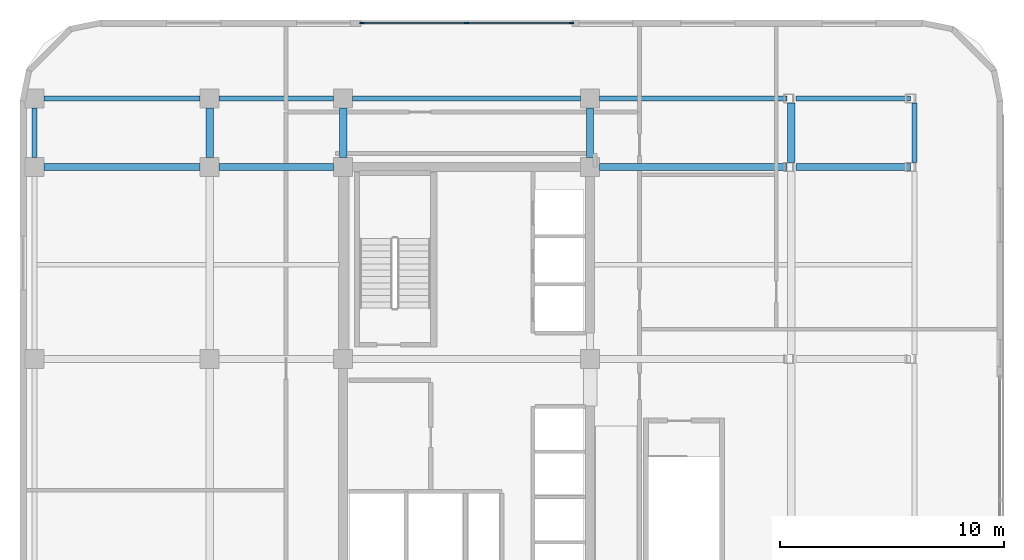
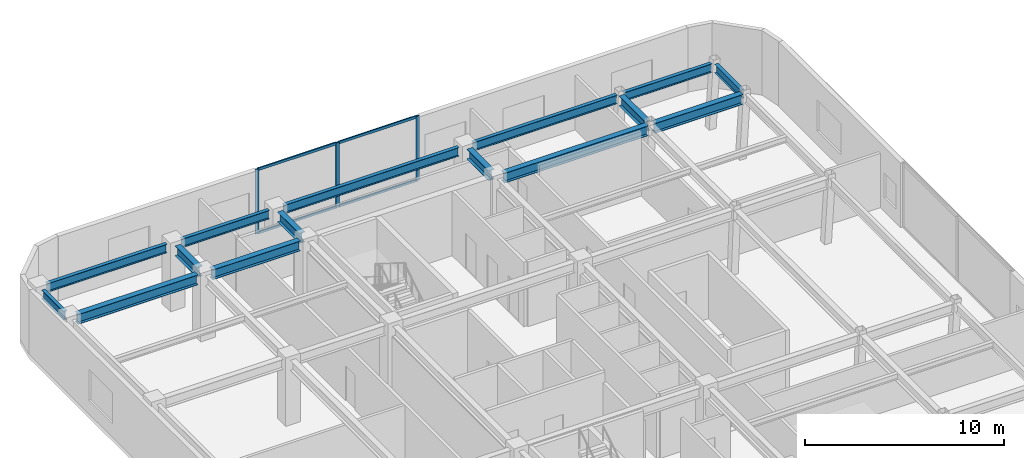
# One storey, part 5 of 12: 15 beams, 7 members, 1 element without a shape of its own.
"""IFC4 building model written with IfcOpenShell, lengths in metres."""

from ifc_helpers import new_model, si_unit, direction, frame, origin, origin_2d, place, context, subcontext, project, spatial, rectangle, i_section, extrude, material, layer, layer_set, material_profile, profile_set, type_object, element, aggregate, save


model = new_model("IFC4")

# Units and contexts
model_context = context("Model", 3, precision=1e-05, world=origin(), true_north=direction((0.0, 1.0)))
body_context = subcontext(model_context, "Body", "Model", "MODEL_VIEW")
ifc_project = project(units=[si_unit("LENGTHUNIT", "METRE"), si_unit("AREAUNIT", "SQUARE_METRE"), si_unit("VOLUMEUNIT", "CUBIC_METRE"), si_unit("PLANEANGLEUNIT", "RADIAN"), si_unit("MASSUNIT", "GRAM", prefix="KILO")], contexts=[model_context])

# Site, building, storey
site_placement = place(None, origin())
site = spatial("IfcSite", under=ifc_project, at=site_placement, CompositionType="ELEMENT")
building_placement = place(site_placement, origin())
building = spatial("IfcBuilding", under=site, at=building_placement, Name="Ochreholt Gables", CompositionType="ELEMENT")
storey_placement = place(building_placement, frame((0.0, 0.0, 117.0)))
storey = spatial("IfcBuildingStorey", under=building, at=storey_placement, Name="L30", CompositionType="ELEMENT", Elevation=117.0)

# Beams
ifc_material_1 = material(Name="Steel CSA G40.21 350W", Category="steel")
ifc_material_profile_1 = material_profile(ifc_material_1, i_section(OverallWidth=0.323974609375, OverallDepth=0.611083984375, WebThickness=0.0126953125, FlangeThickness=0.01904296875, at=origin_2d()), Name="W610X155")
ifc_profile_set_1 = profile_set([ifc_material_profile_1], Name="Steel CSA G40.21 350W")
beam_type_1 = type_object("IfcBeamType", Name="BM-G-W610A", PredefinedType="BEAM", material=ifc_profile_set_1)
beam_1_placement = place(storey_placement, frame((10.87451171875, 38.75, 3.654541015625), z_axis=(1.0, 0.0, 0.0), x_axis=(0.0, 1.0, 0.0)))
element("IfcBeam", 1, at=beam_1_placement, inside=storey, type_object=beam_type_1, Name="L30 Beam TBG-L30-W2W3-Y5", PredefinedType="BEAM", context=body_context, shape_type="SweptSolid", body=[
    extrude(i_section(OverallWidth=0.323974609375, OverallDepth=0.611083984375, WebThickness=0.0126953125, FlangeThickness=0.01904296875, at=origin_2d()), origin(), (0.0, 0.0, 1.0), 6.950927734375),
])
beam_2_placement = place(storey_placement, frame((18.674560546875, 38.75, 3.654541015625), z_axis=(1.0, 0.0, 0.0), x_axis=(0.0, 1.0, 0.0)))
element("IfcBeam", 2, at=beam_2_placement, inside=storey, type_object=beam_type_1, Name="L30 Beam TBG-L30-W3C1-Y5", PredefinedType="BEAM", context=body_context, shape_type="SweptSolid", body=[
    extrude(i_section(OverallWidth=0.323974609375, OverallDepth=0.611083984375, WebThickness=0.0126953125, FlangeThickness=0.01904296875, at=origin_2d()), origin(), (0.0, 0.0, 1.0), 5.100830078125),
])
beam_3_placement = place(storey_placement, frame((35.62451171875, 38.75, 3.654541015625), z_axis=(1.0, 0.0, 0.0), x_axis=(0.0, 1.0, 0.0)))
element("IfcBeam", 3, at=beam_3_placement, inside=storey, type_object=beam_type_1, Name="L30 Beam TBG-L30-C2EM-Y5", PredefinedType="BEAM", context=body_context, shape_type="SweptSolid", body=[
    extrude(i_section(OverallWidth=0.323974609375, OverallDepth=0.611083984375, WebThickness=0.0126953125, FlangeThickness=0.01904296875, at=origin_2d()), origin(), (0.0, 0.0, 1.0), 8.350830078125),
])
beam_4_placement = place(storey_placement, frame((44.380615234375, 38.75, 3.654541015625), z_axis=(1.0, 0.0, 0.0), x_axis=(0.0, 1.0, 0.0)))
element("IfcBeam", 4, at=beam_4_placement, inside=storey, type_object=beam_type_1, Name="L30 Beam TBG-L30-EMEE-Y5", PredefinedType="BEAM", context=body_context, shape_type="SweptSolid", body=[
    extrude(i_section(OverallWidth=0.323974609375, OverallDepth=0.611083984375, WebThickness=0.0126953125, FlangeThickness=0.01904296875, at=origin_2d()), origin(), (0.0, 0.0, 1.0), 5.103271484375),
])
for number, where, z_axis, x_axis, name in (
    (5, (18.25, 39.174560546875, 3.654541015625), (0.0, 1.0, 0.0), (-1.0, 0.0, 0.0), "L30 Beam TBN-L30-W3-Y5Y6"),
    (6, (24.199951171875, 39.174560546875, 3.654541015625), (0.0, 1.0, 0.0), (-1.0, 0.0, 0.0), "L30 Beam TBN-L30-C1-Y5Y6"),
    (7, (35.199951171875, 39.174560546875, 3.654541015625), (0.0, 1.0, 0.0), (-1.0, 0.0, 0.0), "L30 Beam TBN-L30-C2-Y5Y6"),
):
    element("IfcBeam", number, at=place(storey_placement, frame(where, z_axis=z_axis, x_axis=x_axis)), inside=storey, type_object=beam_type_1, Name=name, PredefinedType="BEAM", context=body_context, shape_type="SweptSolid", body=[
        extrude(i_section(OverallWidth=0.323974609375, OverallDepth=0.611083984375, WebThickness=0.0126953125, FlangeThickness=0.01904296875, at=origin_2d()), origin(), (0.0, 0.0, 1.0), 2.200927734375),
    ])
beam_5_placement = place(storey_placement, frame((44.160888671875, 38.95263671875, 3.654541015625), z_axis=(0.0, 1.0, 0.0), x_axis=(-1.0, 0.0, 0.0)))
element("IfcBeam", 8, at=beam_5_placement, inside=storey, type_object=beam_type_1, Name="L30 Beam TBN-L30-EM-Y5Y6", PredefinedType="BEAM", context=body_context, shape_type="SweptSolid", body=[
    extrude(i_section(OverallWidth=0.323974609375, OverallDepth=0.611083984375, WebThickness=0.0126953125, FlangeThickness=0.01904296875, at=origin_2d()), origin(), (0.0, 0.0, 1.0), 2.644775390625),
])
ifc_material_profile_2 = material_profile(ifc_material_1, i_section(OverallWidth=0.208984375, OverallDepth=0.532958984375, WebThickness=0.01025390625, FlangeThickness=0.015625, at=origin_2d()), Name="W530X92")
ifc_profile_set_2 = profile_set([ifc_material_profile_2], Name="Steel CSA G40.21 350W")
beam_type_2 = type_object("IfcBeamType", Name="BM-SP-W530B", PredefinedType="SPANDREL", material=ifc_profile_set_2)
beam_6_placement = place(storey_placement, frame((10.87451171875, 41.800048828125, 3.693603515625), z_axis=(1.0, 0.0, 0.0), x_axis=(0.0, 1.0, 0.0)))
element("IfcBeam", 9, at=beam_6_placement, inside=storey, type_object=beam_type_2, Name="L30 Beam TBG-L30-W2W3-Y6", PredefinedType="SPANDREL", context=body_context, shape_type="SweptSolid", body=[
    extrude(i_section(OverallWidth=0.208984375, OverallDepth=0.532958984375, WebThickness=0.01025390625, FlangeThickness=0.015625, at=origin_2d()), origin(), (0.0, 0.0, 1.0), 6.950927734375),
])
beam_7_placement = place(storey_placement, frame((18.674560546875, 41.800048828125, 3.693603515625), z_axis=(1.0, 0.0, 0.0), x_axis=(0.0, 1.0, 0.0)))
element("IfcBeam", 10, at=beam_7_placement, inside=storey, type_object=beam_type_2, Name="L30 Beam TBG-L30-W3C1-Y6", PredefinedType="SPANDREL", context=body_context, shape_type="SweptSolid", body=[
    extrude(i_section(OverallWidth=0.208984375, OverallDepth=0.532958984375, WebThickness=0.01025390625, FlangeThickness=0.015625, at=origin_2d()), origin(), (0.0, 0.0, 1.0), 5.100830078125),
])
beam_8_placement = place(storey_placement, frame((24.62451171875, 41.800048828125, 3.693603515625), z_axis=(1.0, 0.0, 0.0), x_axis=(0.0, 1.0, 0.0)))
element("IfcBeam", 11, at=beam_8_placement, inside=storey, type_object=beam_type_2, Name="L30 Beam TBG-L30-C1C2-Y6", PredefinedType="SPANDREL", context=body_context, shape_type="SweptSolid", body=[
    extrude(i_section(OverallWidth=0.208984375, OverallDepth=0.532958984375, WebThickness=0.01025390625, FlangeThickness=0.015625, at=origin_2d()), origin(), (0.0, 0.0, 1.0), 10.15087890625),
])
beam_9_placement = place(storey_placement, frame((35.62451171875, 41.800048828125, 3.693603515625), z_axis=(1.0, 0.0, 0.0), x_axis=(0.0, 1.0, 0.0)))
element("IfcBeam", 12, at=beam_9_placement, inside=storey, type_object=beam_type_2, Name="L30 Beam TBG-L30-C2EM-Y6", PredefinedType="SPANDREL", context=body_context, shape_type="SweptSolid", body=[
    extrude(i_section(OverallWidth=0.208984375, OverallDepth=0.532958984375, WebThickness=0.01025390625, FlangeThickness=0.015625, at=origin_2d()), origin(), (0.0, 0.0, 1.0), 8.350830078125),
])
beam_10_placement = place(storey_placement, frame((44.380615234375, 41.800048828125, 3.693603515625), z_axis=(1.0, 0.0, 0.0), x_axis=(0.0, 1.0, 0.0)))
element("IfcBeam", 13, at=beam_10_placement, inside=storey, type_object=beam_type_2, Name="L30 Beam TBG-L30-EMEE-Y6", PredefinedType="SPANDREL", context=body_context, shape_type="SweptSolid", body=[
    extrude(i_section(OverallWidth=0.208984375, OverallDepth=0.532958984375, WebThickness=0.01025390625, FlangeThickness=0.015625, at=origin_2d()), origin(), (0.0, 0.0, 1.0), 5.103271484375),
])
beam_11_placement = place(storey_placement, frame((10.449951171875, 39.174560546875, 3.693603515625), z_axis=(0.0, 1.0, 0.0), x_axis=(-1.0, 0.0, 0.0)))
element("IfcBeam", 14, at=beam_11_placement, inside=storey, type_object=beam_type_2, Name="L30 Beam TBN-L30-W2-Y5Y6", PredefinedType="SPANDREL", context=body_context, shape_type="SweptSolid", body=[
    extrude(i_section(OverallWidth=0.208984375, OverallDepth=0.532958984375, WebThickness=0.01025390625, FlangeThickness=0.015625, at=origin_2d()), origin(), (0.0, 0.0, 1.0), 2.200927734375),
])
beam_12_placement = place(storey_placement, frame((49.657958984375, 38.95263671875, 3.693603515625), z_axis=(0.0, 1.0, 0.0), x_axis=(-1.0, 0.0, 0.0)))
element("IfcBeam", 15, at=beam_12_placement, inside=storey, type_object=beam_type_2, Name="L30 Beam TBN-L30-EE-Y5Y6", PredefinedType="SPANDREL", context=body_context, shape_type="SweptSolid", body=[
    extrude(i_section(OverallWidth=0.208984375, OverallDepth=0.532958984375, WebThickness=0.01025390625, FlangeThickness=0.015625, at=origin_2d()), origin(), (0.0, 0.0, 1.0), 2.644775390625),
])

# Curtain wall, members
ifc_material_2 = material(Name="Unitised Aluminium and Triple Glazing", Category="aluminium")
ifc_layer = layer(ifc_material_2, 0.219970703125, Name="Unitised Aluminium and Triple Glazing")
ifc_layer_set = layer_set([ifc_layer], Name="Unitised Aluminium and Triple Glazing")
curtain_wall_type = type_object("IfcCurtainWallType", Name="CW-SYS6", PredefinedType="NOTDEFINED", material=ifc_layer_set)
curtain_wall_placement = place(storey_placement, origin())
curtain_wall = element("IfcCurtainWall", 16, at=curtain_wall_placement, inside=storey, type_object=curtain_wall_type, Name="L30 North Unitised Curtain Wall", PredefinedType="NOTDEFINED")
ifc_material_3 = material(Name="Anodized Aluminium 6063-T6", Category="aluminium")
ifc_material_profile_3 = material_profile(ifc_material_3, rectangle(XDim=0.074951171875, YDim=0.199951171875, at=origin_2d()), Name="CWM75X200")
ifc_profile_set_3 = profile_set([ifc_material_profile_3], Name="Anodized Aluminium 6063-T6")
member_type_1 = type_object("IfcMemberType", Name="CW-MUL-A", PredefinedType="MULLION", material=ifc_profile_set_3)
member_1_placement = place(storey_placement, frame((34.362548828125, 45.159912109375, 0.0), z_axis=(0.0, 0.0, 1.0), x_axis=(0.0, -1.0, 0.0)))
member_1 = element("IfcMember", 17, at=member_1_placement, type_object=member_type_1, Name="CW-6 mullion 1", PredefinedType="MULLION", context=body_context, shape_type="SweptSolid", body=[
    extrude(rectangle(XDim=0.074951171875, YDim=0.199951171875, at=origin_2d()), origin(), (0.0, 0.0, 1.0), 3.9599609375),
])
member_2_placement = place(storey_placement, frame((29.699951171875, 45.159912109375, 0.0), z_axis=(0.0, 0.0, 1.0), x_axis=(0.0, -1.0, 0.0)))
member_2 = element("IfcMember", 18, at=member_2_placement, type_object=member_type_1, Name="CW-6 mullion 2", PredefinedType="MULLION", context=body_context, shape_type="SweptSolid", body=[
    extrude(rectangle(XDim=0.074951171875, YDim=0.199951171875, at=origin_2d()), origin(), (0.0, 0.0, 1.0), 3.9599609375),
])
member_3_placement = place(storey_placement, frame((25.03759765625, 45.159912109375, 0.0), z_axis=(0.0, 0.0, 1.0), x_axis=(0.0, -1.0, 0.0)))
member_3 = element("IfcMember", 19, at=member_3_placement, type_object=member_type_1, Name="CW-6 mullion 3", PredefinedType="MULLION", context=body_context, shape_type="SweptSolid", body=[
    extrude(rectangle(XDim=0.074951171875, YDim=0.199951171875, at=origin_2d()), origin(), (0.0, 0.0, 1.0), 3.9599609375),
])
ifc_material_profile_4 = material_profile(ifc_material_3, rectangle(XDim=0.074951171875, YDim=0.159912109375, at=origin_2d()), Name="CWT75X160")
ifc_profile_set_4 = profile_set([ifc_material_profile_4], Name="Anodized Aluminium 6063-T6")
member_type_2 = type_object("IfcMemberType", Name="CW-TRN-A", PredefinedType="USERDEFINED", material=ifc_profile_set_4)
member_4_placement = place(storey_placement, frame((34.324951171875, 45.159912109375, 0.03759765625), z_axis=(-1.0, 0.0, 0.0), x_axis=(0.0, -1.0, 0.0)))
member_4 = element("IfcMember", 20, at=member_4_placement, type_object=member_type_2, Name="CW-6 transom 1.1", ObjectType="TRANSOM", PredefinedType="USERDEFINED", context=body_context, shape_type="SweptSolid", body=[
    extrude(rectangle(XDim=0.074951171875, YDim=0.159912109375, at=origin_2d()), origin(), (0.0, 0.0, 1.0), 4.58740234375),
])
member_5_placement = place(storey_placement, frame((34.324951171875, 45.159912109375, 3.922607421875), z_axis=(-1.0, 0.0, 0.0), x_axis=(0.0, -1.0, 0.0)))
member_5 = element("IfcMember", 21, at=member_5_placement, type_object=member_type_2, Name="CW-6 transom 1.2", ObjectType="TRANSOM", PredefinedType="USERDEFINED", context=body_context, shape_type="SweptSolid", body=[
    extrude(rectangle(XDim=0.074951171875, YDim=0.159912109375, at=origin_2d()), origin(), (0.0, 0.0, 1.0), 4.58740234375),
])
member_6_placement = place(storey_placement, frame((29.66259765625, 45.159912109375, 0.03759765625), z_axis=(-1.0, 0.0, 0.0), x_axis=(0.0, -1.0, 0.0)))
member_6 = element("IfcMember", 22, at=member_6_placement, type_object=member_type_2, Name="CW-6 transom 2.1", ObjectType="TRANSOM", PredefinedType="USERDEFINED", context=body_context, shape_type="SweptSolid", body=[
    extrude(rectangle(XDim=0.074951171875, YDim=0.159912109375, at=origin_2d()), origin(), (0.0, 0.0, 1.0), 4.587646484375),
])
member_7_placement = place(storey_placement, frame((29.66259765625, 45.159912109375, 3.922607421875), z_axis=(-1.0, 0.0, 0.0), x_axis=(0.0, -1.0, 0.0)))
member_7 = element("IfcMember", 23, at=member_7_placement, type_object=member_type_2, Name="CW-6 transom 2.2", ObjectType="TRANSOM", PredefinedType="USERDEFINED", context=body_context, shape_type="SweptSolid", body=[
    extrude(rectangle(XDim=0.074951171875, YDim=0.159912109375, at=origin_2d()), origin(), (0.0, 0.0, 1.0), 4.587646484375),
])
aggregate(curtain_wall, [member_1, member_2, member_3, member_4, member_5, member_6, member_7])

save(model, "model.ifc")
